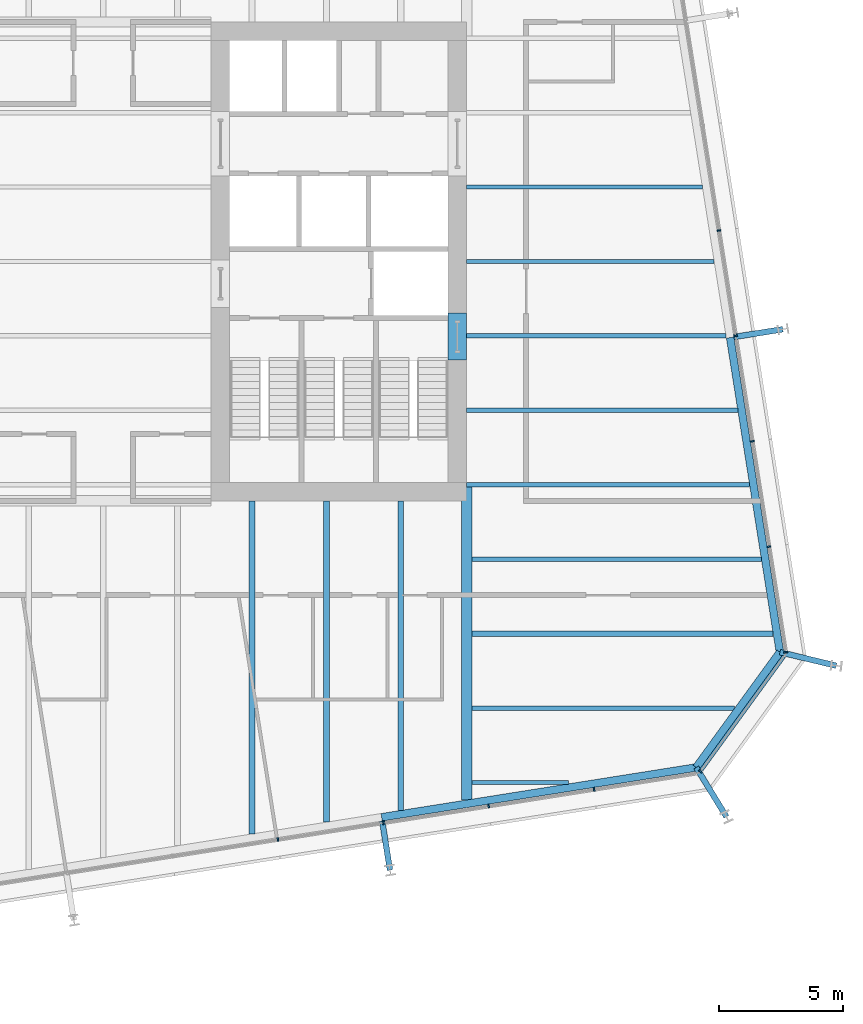
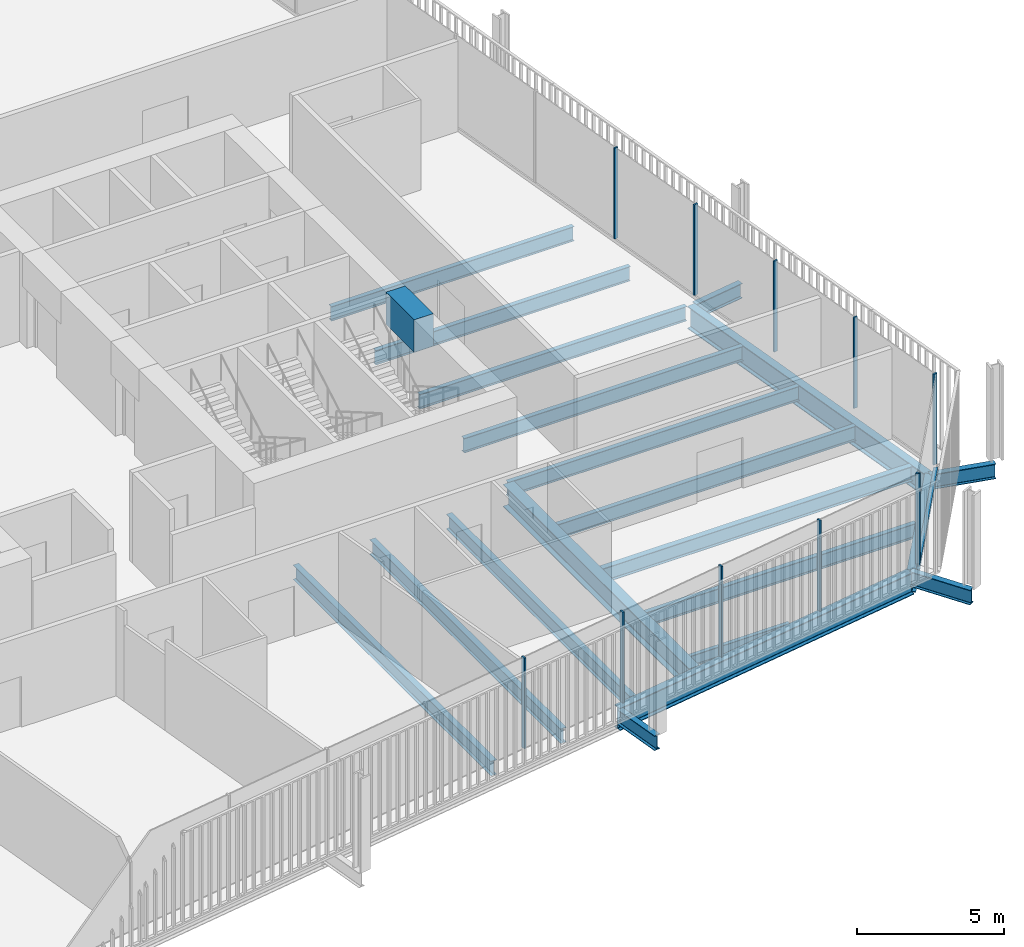
# One storey, part 8 of 21: 21 beams, 11 members, 3 elements without a shape of their own.
"""IFC4 building model written with IfcOpenShell, lengths in metres."""

from ifc_helpers import new_model, si_unit, direction, frame, origin, origin_2d, place, context, subcontext, project, spatial, rectangle, i_section, extrude, material, layer, layer_set, material_profile, profile_set, type_object, element, aggregate, save


model = new_model("IFC4")

# Units and contexts
model_context = context("Model", 3, precision=1e-05, world=origin(), true_north=direction((0.0, 1.0)))
body_context = subcontext(model_context, "Body", "Model", "MODEL_VIEW")
ifc_project = project(units=[si_unit("LENGTHUNIT", "METRE"), si_unit("AREAUNIT", "SQUARE_METRE"), si_unit("VOLUMEUNIT", "CUBIC_METRE"), si_unit("PLANEANGLEUNIT", "RADIAN"), si_unit("MASSUNIT", "GRAM", prefix="KILO")], contexts=[model_context])

# Site, building, storey
site_placement = place(None, origin())
site = spatial("IfcSite", under=ifc_project, at=site_placement, CompositionType="ELEMENT")
building_placement = place(site_placement, origin())
building = spatial("IfcBuilding", under=site, at=building_placement, Name="Millrace Tower", CompositionType="ELEMENT")
storey_placement = place(building_placement, frame((0.0, 0.0, 141.199951171875)))
storey = spatial("IfcBuildingStorey", under=building, at=storey_placement, Name="L31", CompositionType="ELEMENT", Elevation=141.199951171875)

# Curtain wall, members
ifc_material_1 = material(Name="Aluminium and glass", Category="aluminium")
ifc_layer = layer(ifc_material_1, 0.14990234375)
ifc_layer_set = layer_set([ifc_layer], Name="Aluminium and glass")
curtain_wall_type = type_object("IfcCurtainWallType", Name="CW-1 office vision curtain wall", PredefinedType="NOTDEFINED", material=ifc_layer_set)
placement = place(storey_placement, origin())
curtain_wall_1 = element("IfcCurtainWall", 1, at=placement, inside=storey, type_object=curtain_wall_type, Name="Curtain wall C-F02 L31", PredefinedType="NOTDEFINED")
ifc_material_2 = material(Name="Aluminium", Category="aluminium")
ifc_material_profile_1 = material_profile(ifc_material_2, rectangle(XDim=0.06494140625, YDim=0.14990234375, at=origin_2d()))
ifc_profile_set_1 = profile_set([ifc_material_profile_1], Name="Aluminium")
member_type_1 = type_object("IfcMemberType", Name="CW-1 office vision curtain wall mullion", PredefinedType="MULLION", material=ifc_profile_set_1)
member_1_placement = place(storey_placement, frame((7.04345703125, -23.293212890625, 0.14013671875), z_axis=(0.0, 0.0, 1.0), x_axis=(0.98768833929, 0.15643447328, 0.0)))
member_1 = element("IfcMember", 2, at=member_1_placement, type_object=member_type_1, Name="CW1 mullion C-F02.6", PredefinedType="MULLION", context=body_context, shape_type="SweptSolid", body=[
    extrude(rectangle(XDim=0.06494140625, YDim=0.14990234375, at=origin_2d()), origin(), (0.0, 0.0, 1.0), 3.760009765625),
])
member_2_placement = place(storey_placement, frame((11.29052734375, -22.62060546875, 0.14013671875), z_axis=(0.0, 0.0, 1.0), x_axis=(0.98768833929, 0.15643447328, 0.0)))
member_2 = element("IfcMember", 3, at=member_2_placement, type_object=member_type_1, Name="CW1 mullion C-F02.7", PredefinedType="MULLION", context=body_context, shape_type="SweptSolid", body=[
    extrude(rectangle(XDim=0.06494140625, YDim=0.14990234375, at=origin_2d()), origin(), (0.0, 0.0, 1.0), 3.760009765625),
])
member_3_placement = place(storey_placement, frame((15.53759765625, -21.947998046875, 0.14013671875), z_axis=(0.0, 0.0, 1.0), x_axis=(0.98768833929, 0.15643447328, 0.0)))
member_3 = element("IfcMember", 4, at=member_3_placement, type_object=member_type_1, Name="CW1 mullion C-F02.8", PredefinedType="MULLION", context=body_context, shape_type="SweptSolid", body=[
    extrude(rectangle(XDim=0.06494140625, YDim=0.14990234375, at=origin_2d()), origin(), (0.0, 0.0, 1.0), 3.760009765625),
])
member_4_placement = place(storey_placement, frame((19.78466796875, -21.275390625, 0.14013671875), z_axis=(0.0, 0.0, 1.0), x_axis=(0.98768833929, 0.15643447328, 0.0)))
member_4 = element("IfcMember", 5, at=member_4_placement, type_object=member_type_1, Name="CW1 mullion C-F02.9", PredefinedType="MULLION", context=body_context, shape_type="SweptSolid", body=[
    extrude(rectangle(XDim=0.06494140625, YDim=0.14990234375, at=origin_2d()), origin(), (0.0, 0.0, 1.0), 3.760009765625),
])
aggregate(curtain_wall_1, [member_1, member_2, member_3, member_4])

# Curtain wall, member
curtain_wall_2 = element("IfcCurtainWall", 6, at=placement, inside=storey, type_object=curtain_wall_type, Name="Curtain wall C-F03 L31", PredefinedType="NOTDEFINED")
member_5_placement = place(storey_placement, frame((24.06787109375, -20.551513671875, 0.14013671875), z_axis=(0.0, 0.0, 1.0), x_axis=(0.587785269844, 0.809016981623, 0.0)))
member_5 = element("IfcMember", 7, at=member_5_placement, type_object=member_type_1, Name="CW1 mullion C-F03.1", PredefinedType="MULLION", context=body_context, shape_type="SweptSolid", body=[
    extrude(rectangle(XDim=0.06494140625, YDim=0.14990234375, at=origin_2d()), origin(), (0.0, 0.0, 1.0), 3.760009765625),
])

# Curtain wall, members
curtain_wall_3 = element("IfcCurtainWall", 8, at=placement, inside=storey, type_object=curtain_wall_type, Name="Curtain wall C-F04 L31", PredefinedType="NOTDEFINED")
member_6_placement = place(storey_placement, frame((27.506591796875, -15.74169921875, 0.14013671875), z_axis=(0.0, 0.0, 1.0), x_axis=(-0.15643447328, 0.98768833929, 0.0)))
member_6 = element("IfcMember", 9, at=member_6_placement, type_object=member_type_1, Name="CW1 mullion C-F04.1", PredefinedType="MULLION", context=body_context, shape_type="SweptSolid", body=[
    extrude(rectangle(XDim=0.06494140625, YDim=0.14990234375, at=origin_2d()), origin(), (0.0, 0.0, 1.0), 3.760009765625),
])
member_7_placement = place(storey_placement, frame((26.833984375, -11.49462890625, 0.14013671875), z_axis=(0.0, 0.0, 1.0), x_axis=(-0.15643447328, 0.98768833929, 0.0)))
member_7 = element("IfcMember", 10, at=member_7_placement, type_object=member_type_1, Name="CW1 mullion C-F04.2", PredefinedType="MULLION", context=body_context, shape_type="SweptSolid", body=[
    extrude(rectangle(XDim=0.06494140625, YDim=0.14990234375, at=origin_2d()), origin(), (0.0, 0.0, 1.0), 3.760009765625),
])
member_8_placement = place(storey_placement, frame((26.161376953125, -7.24755859375, 0.14013671875), z_axis=(0.0, 0.0, 1.0), x_axis=(-0.15643447328, 0.98768833929, 0.0)))
member_8 = element("IfcMember", 11, at=member_8_placement, type_object=member_type_1, Name="CW1 mullion C-F04.3", PredefinedType="MULLION", context=body_context, shape_type="SweptSolid", body=[
    extrude(rectangle(XDim=0.06494140625, YDim=0.14990234375, at=origin_2d()), origin(), (0.0, 0.0, 1.0), 3.760009765625),
])
member_9_placement = place(storey_placement, frame((25.48876953125, -3.00048828125, 0.14013671875), z_axis=(0.0, 0.0, 1.0), x_axis=(-0.15643447328, 0.98768833929, 0.0)))
member_9 = element("IfcMember", 12, at=member_9_placement, type_object=member_type_1, Name="CW1 mullion C-F04.4", PredefinedType="MULLION", context=body_context, shape_type="SweptSolid", body=[
    extrude(rectangle(XDim=0.06494140625, YDim=0.14990234375, at=origin_2d()), origin(), (0.0, 0.0, 1.0), 3.760009765625),
])
member_10_placement = place(storey_placement, frame((24.81591796875, 1.24658203125, 0.14013671875), z_axis=(0.0, 0.0, 1.0), x_axis=(-0.15643447328, 0.98768833929, 0.0)))
member_10 = element("IfcMember", 13, at=member_10_placement, type_object=member_type_1, Name="CW1 mullion C-F04.5", PredefinedType="MULLION", context=body_context, shape_type="SweptSolid", body=[
    extrude(rectangle(XDim=0.06494140625, YDim=0.14990234375, at=origin_2d()), origin(), (0.0, 0.0, 1.0), 3.760009765625),
])
aggregate(curtain_wall_3, [member_6, member_7, member_8, member_9, member_10])

# Member
ifc_material_3 = material(Name="Aluminium", Category="aluminium")
ifc_material_profile_2 = material_profile(ifc_material_3, rectangle(XDim=0.14990234375, YDim=0.139892578125, at=origin_2d()))
ifc_profile_set_2 = profile_set([ifc_material_profile_2], Name="Aluminium")
member_type_2 = type_object("IfcMemberType", Name="CW-1 office vision curtain wall transom", PredefinedType="USERDEFINED", material=ifc_profile_set_2)
member_11_placement = place(storey_placement, frame((24.107421875, -20.496826171875, 0.070068359375), z_axis=(0.587810581339, 0.808998591139, 0.0), x_axis=(-0.808998591139, 0.587810581339, 0.0)))
member_11 = element("IfcMember", 14, at=member_11_placement, type_object=member_type_2, Name="CW1 transom C-F03.1", ObjectType="TRANSOM", PredefinedType="USERDEFINED", context=body_context, shape_type="SweptSolid", body=[
    extrude(rectangle(XDim=0.14990234375, YDim=0.139892578125, at=origin_2d()), origin(), (0.0, 0.0, 1.0), 5.6689453125),
])

aggregate(curtain_wall_2, [member_5, member_11])

# Beams
ifc_material_4 = material(Name="Concrete C70", Category="concrete")
ifc_material_profile_3 = material_profile(ifc_material_4, rectangle(XDim=0.75, YDim=1.340087890625, at=origin_2d()))
ifc_profile_set_3 = profile_set([ifc_material_profile_3], Name="Concrete C70")
beam_type_1 = type_object("IfcBeamType", Name="Coupling beam 750 x 1340 Concrete C70, 1300 opening", PredefinedType="BEAM", material=ifc_profile_set_3)
beam_1_placement = place(storey_placement, frame((14.27490234375, -2.080078125, 3.070068359375), z_axis=(0.0, -1.0, 0.0), x_axis=(1.0, 0.0, 0.0)))
element("IfcBeam", 15, at=beam_1_placement, inside=storey, type_object=beam_type_1, Name="Coupling beam E L31", PredefinedType="BEAM", context=body_context, shape_type="SweptSolid", body=[
    extrude(rectangle(XDim=0.75, YDim=1.340087890625, at=origin_2d()), origin(), (0.0, 0.0, 1.0), 1.89990234375),
])
ifc_material_5 = material(Name="Steel ASTM A992 Grade 50", Category="steel")
ifc_material_profile_4 = material_profile(ifc_material_5, i_section(OverallWidth=0.15234375, OverallDepth=0.449462890625, WebThickness=0.007568359375, FlangeThickness=0.0107421875, FilletRadius=0.01025390625, at=origin_2d()))
ifc_profile_set_4 = profile_set([ifc_material_profile_4], Name="Steel ASTM A992 Grade 50")
beam_type_2 = type_object("IfcBeamType", Name="Floor beam W18x35", PredefinedType="JOIST", material=ifc_profile_set_4)
beam_2_placement = place(storey_placement, frame((14.859619140625, -21.0, -0.384765625), z_axis=(1.0, 0.0, 0.0), x_axis=(0.0, 1.0, 0.0)))
element("IfcBeam", 16, at=beam_2_placement, inside=storey, type_object=beam_type_2, Name="BM-C-L31-S1-S003", PredefinedType="JOIST", context=body_context, shape_type="SweptSolid", body=[
    extrude(i_section(OverallWidth=0.15234375, OverallDepth=0.449462890625, WebThickness=0.007568359375, FlangeThickness=0.0107421875, FilletRadius=0.01025390625, at=origin_2d()), origin(), (0.0, 0.0, 1.0), 3.9033203125),
])
ifc_material_6 = material(Name="Steel ASTM A992 Grade 50", Category="steel")
ifc_material_profile_5 = material_profile(ifc_material_6, i_section(OverallWidth=0.177978515625, OverallDepth=0.599365234375, WebThickness=0.010009765625, FlangeThickness=0.012939453125, FilletRadius=0.012939453125, at=origin_2d()))
ifc_profile_set_5 = profile_set([ifc_material_profile_5], Name="Steel ASTM A992 Grade 50")
beam_type_3 = type_object("IfcBeamType", Name="Floor beam W24x55", PredefinedType="JOIST", material=ifc_profile_set_5)
beam_3_placement = place(storey_placement, frame((14.64990234375, 0.0, -0.459716796875), z_axis=(1.0, 0.0, 0.0), x_axis=(0.0, 1.0, 0.0)))
element("IfcBeam", 17, at=beam_3_placement, inside=storey, type_object=beam_type_3, Name="BM-C-L31-S1-S021", PredefinedType="JOIST", context=body_context, shape_type="SweptSolid", body=[
    extrude(i_section(OverallWidth=0.177978515625, OverallDepth=0.599365234375, WebThickness=0.010009765625, FlangeThickness=0.012939453125, FilletRadius=0.012939453125, at=origin_2d()), origin(), (0.0, 0.0, 1.0), 9.976318359375),
])
beam_4_placement = place(storey_placement, frame((14.64990234375, 3.0, -0.459716796875), z_axis=(1.0, 0.0, 0.0), x_axis=(0.0, 1.0, 0.0)))
element("IfcBeam", 18, at=beam_4_placement, inside=storey, type_object=beam_type_3, Name="BM-C-L31-S1-S024", PredefinedType="JOIST", context=body_context, shape_type="SweptSolid", body=[
    extrude(i_section(OverallWidth=0.177978515625, OverallDepth=0.599365234375, WebThickness=0.010009765625, FlangeThickness=0.012939453125, FilletRadius=0.012939453125, at=origin_2d()), origin(), (0.0, 0.0, 1.0), 9.501220703125),
])
ifc_material_7 = material(Name="Steel ASTM A992 Grade 50", Category="steel")
ifc_material_profile_6 = material_profile(ifc_material_7, i_section(OverallWidth=0.1787109375, OverallDepth=0.60205078125, WebThickness=0.010986328125, FlangeThickness=0.014892578125, FilletRadius=0.0126953125, at=origin_2d()))
ifc_profile_set_6 = profile_set([ifc_material_profile_6], Name="Steel ASTM A992 Grade 50")
beam_type_4 = type_object("IfcBeamType", Name="Floor beam W24x62", PredefinedType="JOIST", material=ifc_profile_set_6)
beam_5_placement = place(storey_placement, frame((14.859619140625, -12.0, -0.4609375), z_axis=(1.0, 0.0, 0.0), x_axis=(0.0, 1.0, 0.0)))
element("IfcBeam", 19, at=beam_5_placement, inside=storey, type_object=beam_type_4, Name="BM-C-L31-S1-S009", PredefinedType="JOIST", context=body_context, shape_type="SweptSolid", body=[
    extrude(i_section(OverallWidth=0.1787109375, OverallDepth=0.60205078125, WebThickness=0.010986328125, FlangeThickness=0.014892578125, FilletRadius=0.0126953125, at=origin_2d()), origin(), (0.0, 0.0, 1.0), 11.667236328125),
])
beam_6_placement = place(storey_placement, frame((14.64990234375, -9.0, -0.4609375), z_axis=(1.0, 0.0, 0.0), x_axis=(0.0, 1.0, 0.0)))
element("IfcBeam", 20, at=beam_6_placement, inside=storey, type_object=beam_type_4, Name="BM-C-L31-S1-S012", PredefinedType="JOIST", context=body_context, shape_type="SweptSolid", body=[
    extrude(i_section(OverallWidth=0.1787109375, OverallDepth=0.60205078125, WebThickness=0.010986328125, FlangeThickness=0.014892578125, FilletRadius=0.0126953125, at=origin_2d()), origin(), (0.0, 0.0, 1.0), 11.40185546875),
])
beam_7_placement = place(storey_placement, frame((14.64990234375, -6.0, -0.4609375), z_axis=(1.0, 0.0, 0.0), x_axis=(0.0, 1.0, 0.0)))
element("IfcBeam", 21, at=beam_7_placement, inside=storey, type_object=beam_type_4, Name="BM-C-L31-S1-S015", PredefinedType="JOIST", context=body_context, shape_type="SweptSolid", body=[
    extrude(i_section(OverallWidth=0.1787109375, OverallDepth=0.60205078125, WebThickness=0.010986328125, FlangeThickness=0.014892578125, FilletRadius=0.0126953125, at=origin_2d()), origin(), (0.0, 0.0, 1.0), 10.9267578125),
])
beam_8_placement = place(storey_placement, frame((14.64990234375, -3.0, -0.4609375), z_axis=(1.0, 0.0, 0.0), x_axis=(0.0, 1.0, 0.0)))
element("IfcBeam", 22, at=beam_8_placement, inside=storey, type_object=beam_type_4, Name="BM-C-L31-S1-S018", PredefinedType="JOIST", context=body_context, shape_type="SweptSolid", body=[
    extrude(i_section(OverallWidth=0.1787109375, OverallDepth=0.60205078125, WebThickness=0.010986328125, FlangeThickness=0.014892578125, FilletRadius=0.0126953125, at=origin_2d()), origin(), (0.0, 0.0, 1.0), 10.45166015625),
])
beam_9_placement = place(storey_placement, frame((14.859619140625, -18.0, -0.4609375), z_axis=(1.0, 0.0, 0.0), x_axis=(0.0, 1.0, 0.0)))
element("IfcBeam", 23, at=beam_9_placement, inside=storey, type_object=beam_type_4, Name="BM-C-L31-S1-S005", PredefinedType="JOIST", context=body_context, shape_type="SweptSolid", body=[
    extrude(i_section(OverallWidth=0.1787109375, OverallDepth=0.60205078125, WebThickness=0.010986328125, FlangeThickness=0.014892578125, FilletRadius=0.0126953125, at=origin_2d()), origin(), (0.0, 0.0, 1.0), 10.577392578125),
])
ifc_material_8 = material(Name="Steel ASTM A992 Grade 50", Category="steel")
ifc_material_profile_7 = material_profile(ifc_material_8, i_section(OverallWidth=0.228271484375, OverallDepth=0.607177734375, WebThickness=0.01123046875, FlangeThickness=0.017333984375, FilletRadius=0.0126953125, at=origin_2d()))
ifc_profile_set_7 = profile_set([ifc_material_profile_7], Name="Steel ASTM A992 Grade 50")
beam_type_5 = type_object("IfcBeamType", Name="Floor beam W24x76", PredefinedType="JOIST", material=ifc_profile_set_7)
beam_10_placement = place(storey_placement, frame((14.859619140625, -15.0, -0.46337890625), z_axis=(1.0, 0.0, 0.0), x_axis=(0.0, 1.0, 0.0)))
element("IfcBeam", 24, at=beam_10_placement, inside=storey, type_object=beam_type_5, Name="BM-C-L31-S1-S007", PredefinedType="JOIST", context=body_context, shape_type="SweptSolid", body=[
    extrude(i_section(OverallWidth=0.228271484375, OverallDepth=0.607177734375, WebThickness=0.01123046875, FlangeThickness=0.017333984375, FilletRadius=0.0126953125, at=origin_2d()), origin(), (0.0, 0.0, 1.0), 12.142578125),
])
beam_11_placement = place(storey_placement, frame((6.0, -23.071533203125, -0.46337890625), z_axis=(0.0, 1.0, 0.0), x_axis=(-1.0, 0.0, 0.0)))
element("IfcBeam", 25, at=beam_11_placement, inside=storey, type_object=beam_type_5, Name="BM-C-L31-S1-S052", PredefinedType="JOIST", context=body_context, shape_type="SweptSolid", body=[
    extrude(i_section(OverallWidth=0.228271484375, OverallDepth=0.607177734375, WebThickness=0.01123046875, FlangeThickness=0.017333984375, FilletRadius=0.0126953125, at=origin_2d()), origin(), (0.0, 0.0, 1.0), 13.421630859375),
])
beam_12_placement = place(storey_placement, frame((9.0, -22.596435546875, -0.46337890625), z_axis=(0.0, 1.0, 0.0), x_axis=(-1.0, 0.0, 0.0)))
element("IfcBeam", 26, at=beam_12_placement, inside=storey, type_object=beam_type_5, Name="BM-C-L31-S1-S054", PredefinedType="JOIST", context=body_context, shape_type="SweptSolid", body=[
    extrude(i_section(OverallWidth=0.228271484375, OverallDepth=0.607177734375, WebThickness=0.01123046875, FlangeThickness=0.017333984375, FilletRadius=0.0126953125, at=origin_2d()), origin(), (0.0, 0.0, 1.0), 12.946533203125),
])
beam_13_placement = place(storey_placement, frame((12.0, -22.12109375, -0.46337890625), z_axis=(0.0, 1.0, 0.0), x_axis=(-1.0, 0.0, 0.0)))
element("IfcBeam", 27, at=beam_13_placement, inside=storey, type_object=beam_type_5, Name="BM-C-L31-S1-S056", PredefinedType="JOIST", context=body_context, shape_type="SweptSolid", body=[
    extrude(i_section(OverallWidth=0.228271484375, OverallDepth=0.607177734375, WebThickness=0.01123046875, FlangeThickness=0.017333984375, FilletRadius=0.0126953125, at=origin_2d()), origin(), (0.0, 0.0, 1.0), 12.47119140625),
])
ifc_material_9 = material(Name="Steel ASTM A992 Grade 50", Category="steel")
ifc_material_profile_8 = material_profile(ifc_material_9, i_section(OverallWidth=0.419189453125, OverallDepth=0.927001953125, WebThickness=0.019287109375, FlangeThickness=0.031982421875, FilletRadius=0.024169921875, at=origin_2d()))
ifc_profile_set_8 = profile_set([ifc_material_profile_8], Name="Steel ASTM A992 Grade 50")
beam_type_6 = type_object("IfcBeamType", Name="Girder medium span W36x231", PredefinedType="BEAM", material=ifc_profile_set_8)
beam_14_placement = place(storey_placement, frame((14.64990234375, -21.693603515625, -0.62353515625), z_axis=(0.0, 1.0, 0.0), x_axis=(-1.0, 0.0, 0.0)))
element("IfcBeam", 28, at=beam_14_placement, inside=storey, type_object=beam_type_6, Name="BM-C-L31-S1-G060", PredefinedType="BEAM", context=body_context, shape_type="SweptSolid", body=[
    extrude(i_section(OverallWidth=0.419189453125, OverallDepth=0.927001953125, WebThickness=0.019287109375, FlangeThickness=0.031982421875, FilletRadius=0.024169921875, at=origin_2d()), origin(), (0.0, 0.0, 1.0), 12.603515625),
])
ifc_material_10 = material(Name="Steel ASTM A992 Grade 50", Category="steel")
ifc_material_profile_9 = material_profile(ifc_material_10, i_section(OverallWidth=0.23046875, OverallDepth=0.6171875, WebThickness=0.01318359375, FlangeThickness=0.022216796875, FilletRadius=0.012939453125, at=origin_2d()))
ifc_profile_set_9 = profile_set([ifc_material_profile_9], Name="Steel ASTM A992 Grade 50")
beam_type_7 = type_object("IfcBeamType", Name="Link beam W24x94", PredefinedType="BEAM", material=ifc_profile_set_9)
beam_15_placement = place(storey_placement, frame((25.419677734375, -3.04443359375, -0.468505859375), z_axis=(0.987678691416, 0.156495375404, 0.0), x_axis=(-0.156495375404, 0.987678691416, 0.0)))
element("IfcBeam", 29, at=beam_15_placement, inside=storey, type_object=beam_type_7, Name="LNK-C-L31-S1-11", PredefinedType="BEAM", context=body_context, shape_type="SweptSolid", body=[
    extrude(i_section(OverallWidth=0.23046875, OverallDepth=0.6171875, WebThickness=0.01318359375, FlangeThickness=0.022216796875, FilletRadius=0.012939453125, at=origin_2d()), origin(), (0.0, 0.0, 1.0), 2.0),
])
beam_16_placement = place(storey_placement, frame((27.27587890625, -15.746826171875, -0.468505859375), z_axis=(0.972373041068, -0.233432364948, 0.0), x_axis=(0.233432364948, 0.972373041068, 0.0)))
element("IfcBeam", 30, at=beam_16_placement, inside=storey, type_object=beam_type_7, Name="LNK-C-L31-S1-12", PredefinedType="BEAM", context=body_context, shape_type="SweptSolid", body=[
    extrude(i_section(OverallWidth=0.23046875, OverallDepth=0.6171875, WebThickness=0.01318359375, FlangeThickness=0.022216796875, FilletRadius=0.012939453125, at=origin_2d()), origin(), (0.0, 0.0, 1.0), 2.331298828125),
])
beam_17_placement = place(storey_placement, frame((23.901123046875, -20.391845703125, -0.468505859375), z_axis=(0.522512938711, -0.852631355792, 0.0), x_axis=(0.852631355792, 0.522512938711, 0.0)))
element("IfcBeam", 31, at=beam_17_placement, inside=storey, type_object=beam_type_7, Name="LNK-C-L31-S1-13", PredefinedType="BEAM", context=body_context, shape_type="SweptSolid", body=[
    extrude(i_section(OverallWidth=0.23046875, OverallDepth=0.6171875, WebThickness=0.01318359375, FlangeThickness=0.022216796875, FilletRadius=0.012939453125, at=origin_2d()), origin(), (0.0, 0.0, 1.0), 2.3310546875),
])
beam_18_placement = place(storey_placement, frame((11.246826171875, -22.5517578125, -0.468505859375), z_axis=(0.15637629034, -0.987697552806, 0.0), x_axis=(0.987697552806, 0.15637629034, 0.0)))
element("IfcBeam", 32, at=beam_18_placement, inside=storey, type_object=beam_type_7, Name="LNK-C-L31-S1-14", PredefinedType="BEAM", context=body_context, shape_type="SweptSolid", body=[
    extrude(i_section(OverallWidth=0.23046875, OverallDepth=0.6171875, WebThickness=0.01318359375, FlangeThickness=0.022216796875, FilletRadius=0.012939453125, at=origin_2d()), origin(), (0.0, 0.0, 1.0), 2.0),
])
ifc_material_11 = material(Name="Steel ASTM A992 Grade 50", Category="steel")
ifc_material_profile_10 = material_profile(ifc_material_11, i_section(OverallWidth=0.307373046875, OverallDepth=0.927001953125, WebThickness=0.01953125, FlangeThickness=0.031982421875, FilletRadius=0.01904296875, at=origin_2d()))
ifc_profile_set_10 = profile_set([ifc_material_profile_10], Name="Steel ASTM A992 Grade 50")
beam_type_8 = type_object("IfcBeamType", Name="Ring beam medium span W36x194", PredefinedType="SPANDREL", material=ifc_profile_set_10)
for number, where, z_axis, x_axis, name in (
    (33, (25.267822265625, -3.068359375, -0.62353515625), (0.15643330783, -0.987688523879, 0.0), (0.987688523879, 0.15643330783, 0.0), "RNG-C-L31-S1-11"),
    (34, (23.901123046875, -20.391845703125, -0.62353515625), (-0.987688523879, -0.15643330783, 0.0), (0.15643330783, -0.987688523879, 0.0), "RNG-C-L31-S1-13"),
):
    element("IfcBeam", number, at=place(storey_placement, frame(where, z_axis=z_axis, x_axis=x_axis)), inside=storey, type_object=beam_type_8, Name=name, PredefinedType="SPANDREL", context=body_context, shape_type="SweptSolid", body=[
        extrude(i_section(OverallWidth=0.307373046875, OverallDepth=0.927001953125, WebThickness=0.01953125, FlangeThickness=0.031982421875, FilletRadius=0.01904296875, at=origin_2d()), origin(), (0.0, 0.0, 1.0), 12.83642578125),
    ])
ifc_material_12 = material(Name="Steel ASTM A992 Grade 50", Category="steel")
ifc_material_profile_11 = material_profile(ifc_material_12, i_section(OverallWidth=0.307373046875, OverallDepth=0.927001953125, WebThickness=0.01953125, FlangeThickness=0.031982421875, FilletRadius=0.01904296875, at=origin_2d()))
ifc_profile_set_11 = profile_set([ifc_material_profile_11], Name="Steel ASTM A992 Grade 50")
beam_type_9 = type_object("IfcBeamType", Name="Ring beam short span W36x194", PredefinedType="SPANDREL", material=ifc_profile_set_11)
beam_19_placement = place(storey_placement, frame((27.27587890625, -15.746826171875, -0.62353515625), z_axis=(-0.58777973792, -0.809021000772, 0.0), x_axis=(0.809021000772, -0.58777973792, 0.0)))
element("IfcBeam", 35, at=beam_19_placement, inside=storey, type_object=beam_type_9, Name="RNG-C-L31-S1-12", PredefinedType="SPANDREL", context=body_context, shape_type="SweptSolid", body=[
    extrude(i_section(OverallWidth=0.307373046875, OverallDepth=0.927001953125, WebThickness=0.01953125, FlangeThickness=0.031982421875, FilletRadius=0.01904296875, at=origin_2d()), origin(), (0.0, 0.0, 1.0), 5.741455078125),
])

save(model, "model.ifc")
